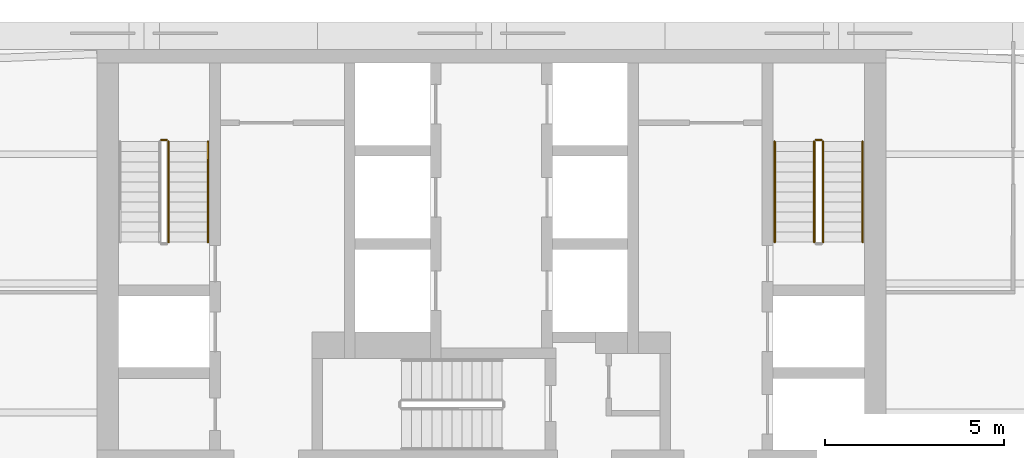
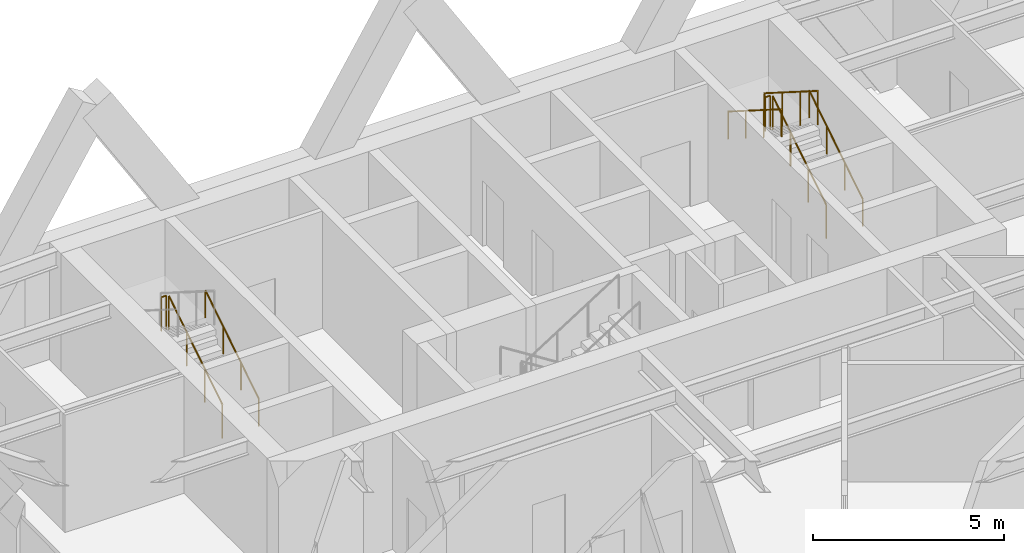
# One storey, part 10 of 10: 8 railings.
"""IFC4 building model written with IfcOpenShell, lengths in metres."""

from ifc_helpers import new_model, si_unit, direction, frame, origin, origin_2d, place, context, subcontext, project, spatial, circle, extrude, material, type_object, element, save


model = new_model("IFC4")

# Units and contexts
model_context = context("Model", 3, precision=1e-05, world=origin(), true_north=direction((0.0, 1.0)))
body_context = subcontext(model_context, "Body", "Model", "MODEL_VIEW")
ifc_project = project(units=[si_unit("LENGTHUNIT", "METRE"), si_unit("AREAUNIT", "SQUARE_METRE"), si_unit("VOLUMEUNIT", "CUBIC_METRE"), si_unit("PLANEANGLEUNIT", "RADIAN"), si_unit("MASSUNIT", "GRAM", prefix="KILO")], contexts=[model_context])

# Site, building, storey
site_placement = place(None, origin())
site = spatial("IfcSite", under=ifc_project, at=site_placement, CompositionType="ELEMENT")
building_placement = place(site_placement, origin())
building = spatial("IfcBuilding", under=site, at=building_placement, Name="Aloe Facet Convention Tower", CompositionType="ELEMENT")
storey_placement = place(building_placement, frame((0.0, 0.0, 219.199951171875)))
storey = spatial("IfcBuildingStorey", under=building, at=storey_placement, Name="L55", CompositionType="ELEMENT", Elevation=219.199951171875)

# Railings
ifc_material_1 = material(Name="Steel S355 balustrade", Category="steel")
railing_type_1 = type_object("IfcRailingType", Name="CR-RL-GUARD", PredefinedType="GUARDRAIL", material=ifc_material_1)
railing_1_placement = place(storey_placement, frame((71.0, 128.949951171875, 0.17724609375)))
element("IfcRailing", 1, at=railing_1_placement, inside=storey, type_object=railing_type_1, Name="L55 ST1 stair guard 1", PredefinedType="GUARDRAIL", context=body_context, shape_type="SweptSolid", body=[
    extrude(circle(Radius=0.02392578125, at=origin_2d()), frame((0.0, 0.0, 1.076171875), z_axis=(0.0, 0.844908973607, 0.534910110503), x_axis=(-1.0, 0.0, 0.0)), (0.0, 0.0, 1.0), 3.31396484375),
    extrude(circle(Radius=0.02099609375, at=origin_2d()), origin(), (0.0, 0.0, 1.0), 1.052001953125),
    extrude(circle(Radius=0.02099609375, at=origin_2d()), frame((0.0, 0.933349609375, 0.5908203125)), (0.0, 0.0, 1.0), 1.052001953125),
    extrude(circle(Radius=0.02099609375, at=origin_2d()), frame((0.0, 1.86669921875, 1.181884765625)), (0.0, 0.0, 1.0), 1.052001953125),
    extrude(circle(Radius=0.02099609375, at=origin_2d()), frame((0.0, 2.800048828125, 1.772705078125)), (0.0, 0.0, 1.0), 1.052001953125),
])
railing_2_placement = place(storey_placement, frame((70.949951171875, 131.800048828125, 1.949951171875)))
element("IfcRailing", 2, at=railing_2_placement, inside=storey, type_object=railing_type_1, Name="L55 ST1 stair guard 2", PredefinedType="GUARDRAIL", context=body_context, shape_type="SweptSolid", body=[
    extrude(circle(Radius=0.02392578125, at=origin_2d()), frame((0.0, 0.0, 1.076171875), z_axis=(-1.0, 0.0, 0.0), x_axis=(0.0, -1.0, 0.0)), (0.0, 0.0, 1.0), 0.14990234375),
    extrude(circle(Radius=0.02099609375, at=origin_2d()), origin(), (0.0, 0.0, 1.0), 1.052001953125),
    extrude(circle(Radius=0.02099609375, at=origin_2d()), frame((-0.14990234375, 0.0, 0.0)), (0.0, 0.0, 1.0), 1.052001953125),
])
railing_3_placement = place(storey_placement, frame((89.25, 128.949951171875, 0.17724609375)))
element("IfcRailing", 3, at=railing_3_placement, inside=storey, type_object=railing_type_1, Name="L55 ST2 stair guard 1", PredefinedType="GUARDRAIL", context=body_context, shape_type="SweptSolid", body=[
    extrude(circle(Radius=0.02392578125, at=origin_2d()), frame((0.0, 0.0, 1.076171875), z_axis=(0.0, 0.844908973607, 0.534910110503), x_axis=(-1.0, 0.0, 0.0)), (0.0, 0.0, 1.0), 3.31396484375),
    extrude(circle(Radius=0.02099609375, at=origin_2d()), origin(), (0.0, 0.0, 1.0), 1.052001953125),
    extrude(circle(Radius=0.02099609375, at=origin_2d()), frame((0.0, 0.933349609375, 0.5908203125)), (0.0, 0.0, 1.0), 1.052001953125),
    extrude(circle(Radius=0.02099609375, at=origin_2d()), frame((0.0, 1.86669921875, 1.181884765625)), (0.0, 0.0, 1.0), 1.052001953125),
    extrude(circle(Radius=0.02099609375, at=origin_2d()), frame((0.0, 2.800048828125, 1.772705078125)), (0.0, 0.0, 1.0), 1.052001953125),
])
railing_4_placement = place(storey_placement, frame((89.199951171875, 131.800048828125, 1.949951171875)))
element("IfcRailing", 4, at=railing_4_placement, inside=storey, type_object=railing_type_1, Name="L55 ST2 stair guard 2", PredefinedType="GUARDRAIL", context=body_context, shape_type="SweptSolid", body=[
    extrude(circle(Radius=0.02392578125, at=origin_2d()), frame((0.0, 0.0, 1.076171875), z_axis=(-1.0, 0.0, 0.0), x_axis=(0.0, -1.0, 0.0)), (0.0, 0.0, 1.0), 0.14990234375),
    extrude(circle(Radius=0.02099609375, at=origin_2d()), origin(), (0.0, 0.0, 1.0), 1.052001953125),
    extrude(circle(Radius=0.02099609375, at=origin_2d()), frame((-0.14990234375, 0.0, 0.0)), (0.0, 0.0, 1.0), 1.052001953125),
])
railing_5_placement = place(storey_placement, frame((89.0, 131.75, 2.12744140625)))
element("IfcRailing", 5, at=railing_5_placement, inside=storey, type_object=railing_type_1, Name="L55 ST2 stair guard 3", PredefinedType="GUARDRAIL", context=body_context, shape_type="SweptSolid", body=[
    extrude(circle(Radius=0.02392578125, at=origin_2d()), frame((0.0, 0.0, 1.076171875), z_axis=(0.0, -0.844908973607, 0.534910110503), x_axis=(1.0, 0.0, 0.0)), (0.0, 0.0, 1.0), 3.31396484375),
    extrude(circle(Radius=0.02099609375, at=origin_2d()), origin(), (0.0, 0.0, 1.0), 1.052001953125),
    extrude(circle(Radius=0.02099609375, at=origin_2d()), frame((0.0, -0.933349609375, 0.5908203125)), (0.0, 0.0, 1.0), 1.052001953125),
    extrude(circle(Radius=0.02099609375, at=origin_2d()), frame((0.0, -1.86669921875, 1.181884765625)), (0.0, 0.0, 1.0), 1.052001953125),
    extrude(circle(Radius=0.02099609375, at=origin_2d()), frame((0.0, -2.800048828125, 1.772705078125)), (0.0, 0.0, 1.0), 1.052001953125),
])
ifc_material_2 = material(Name="Steel S355 handrail", Category="steel")
railing_type_2 = type_object("IfcRailingType", Name="CR-RL-HAND", PredefinedType="HANDRAIL", material=ifc_material_2)
for number, where, name in (
    (6, (72.10009765625, 128.949951171875, 0.17724609375), "L55 ST1 stair handrail 1"),
    (7, (90.35009765625, 128.949951171875, 0.17724609375), "L55 ST2 stair handrail 1"),
):
    element("IfcRailing", number, at=place(storey_placement, frame(where)), inside=storey, type_object=railing_type_2, Name=name, PredefinedType="HANDRAIL", context=body_context, shape_type="SweptSolid", body=[
        extrude(circle(Radius=0.02392578125, at=origin_2d()), frame((0.0, 0.0, 0.8759765625), z_axis=(0.0, 0.844908973607, 0.534910110503), x_axis=(-1.0, 0.0, 0.0)), (0.0, 0.0, 1.0), 3.31396484375),
        extrude(circle(Radius=0.02099609375, at=origin_2d()), origin(), (0.0, 0.0, 1.0), 0.851806640625),
        extrude(circle(Radius=0.02099609375, at=origin_2d()), frame((0.0, 0.933349609375, 0.5908203125)), (0.0, 0.0, 1.0), 0.851806640625),
        extrude(circle(Radius=0.02099609375, at=origin_2d()), frame((0.0, 1.86669921875, 1.181884765625)), (0.0, 0.0, 1.0), 0.851806640625),
        extrude(circle(Radius=0.02099609375, at=origin_2d()), frame((0.0, 2.800048828125, 1.772705078125)), (0.0, 0.0, 1.0), 0.851806640625),
    ])
railing_6_placement = place(storey_placement, frame((87.89990234375, 131.75, 2.12744140625)))
element("IfcRailing", 8, at=railing_6_placement, inside=storey, type_object=railing_type_2, Name="L55 ST2 stair handrail 2", PredefinedType="HANDRAIL", context=body_context, shape_type="SweptSolid", body=[
    extrude(circle(Radius=0.02392578125, at=origin_2d()), frame((0.0, 0.0, 0.8759765625), z_axis=(0.0, -0.844908973607, 0.534910110503), x_axis=(1.0, 0.0, 0.0)), (0.0, 0.0, 1.0), 3.31396484375),
    extrude(circle(Radius=0.02099609375, at=origin_2d()), origin(), (0.0, 0.0, 1.0), 0.851806640625),
    extrude(circle(Radius=0.02099609375, at=origin_2d()), frame((0.0, -0.933349609375, 0.5908203125)), (0.0, 0.0, 1.0), 0.851806640625),
    extrude(circle(Radius=0.02099609375, at=origin_2d()), frame((0.0, -1.86669921875, 1.181884765625)), (0.0, 0.0, 1.0), 0.851806640625),
    extrude(circle(Radius=0.02099609375, at=origin_2d()), frame((0.0, -2.800048828125, 1.772705078125)), (0.0, 0.0, 1.0), 0.851806640625),
])

save(model, "model.ifc")
